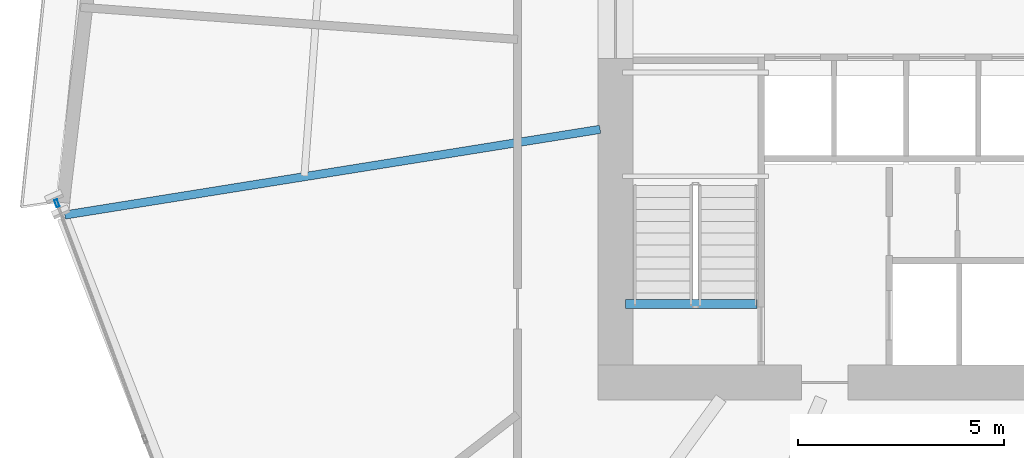
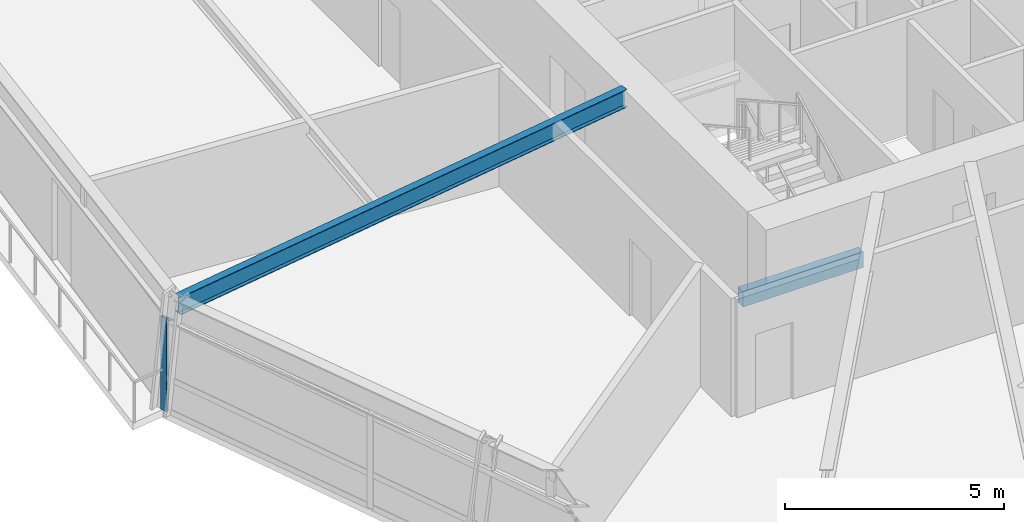
# One storey, part 6 of 21: 2 beams, 1 member, 1 element without a shape of its own.
"""IFC4 building model written with IfcOpenShell, lengths in metres."""

from ifc_helpers import new_model, si_unit, direction, frame, origin, origin_2d, place, context, subcontext, project, spatial, rectangle, hollow_rectangle, i_section, extrude, source, transform, mapped, material, material_profile, profile_set, type_object, element, aggregate, save


model = new_model("IFC4")

# Units and contexts
model_context = context("Model", 3, precision=1e-05, world=origin(), true_north=direction((0.0, 1.0)))
body_context = subcontext(model_context, "Body", "Model", "MODEL_VIEW")
ifc_project = project(units=[si_unit("LENGTHUNIT", "METRE"), si_unit("AREAUNIT", "SQUARE_METRE"), si_unit("VOLUMEUNIT", "CUBIC_METRE"), si_unit("PLANEANGLEUNIT", "RADIAN"), si_unit("MASSUNIT", "GRAM", prefix="KILO")], contexts=[model_context])

# Site, building, storey
site_placement = place(None, origin())
site = spatial("IfcSite", under=ifc_project, at=site_placement, CompositionType="ELEMENT")
building_placement = place(site_placement, origin())
building = spatial("IfcBuilding", under=site, at=building_placement, Name="Olszyna Solenne Hotel", CompositionType="ELEMENT")
storey_placement = place(building_placement, frame((0.0, 0.0, 68.35009765625)))
storey = spatial("IfcBuildingStorey", under=building, at=storey_placement, Name="L17", CompositionType="ELEMENT", Elevation=68.35009765625)

# Beam
ifc_material_1 = material(Name="Steel S355J2", Category="steel")
ifc_material_profile_1 = material_profile(ifc_material_1, i_section(OverallWidth=0.199951171875, OverallDepth=0.5, WebThickness=0.01025390625, FlangeThickness=0.01611328125, at=origin_2d()), Name="IPE 500", Category="load-bearing")
ifc_profile_set_1 = profile_set([ifc_material_profile_1], Name="Steel S355J2")
beam_type_1 = type_object("IfcBeamType", Name="BM-F3", PredefinedType="BEAM", material=ifc_profile_set_1)
shared_shape_1 = source(origin(), body_context, "Body", "SweptSolid", [
    extrude(i_section(OverallWidth=0.199951171875, OverallDepth=0.5, WebThickness=0.01025390625, FlangeThickness=0.01611328125, at=origin_2d()), origin(), (0.0, 0.0, 1.0), 13.136474609375),
])
beam_1_placement = place(storey_placement, frame((16.327880859375, 23.130615234375, 3.0498046875), z_axis=(0.987428915851, 0.158063709121, 0.0), x_axis=(-0.158063709121, 0.987428915851, 0.0)))
element("IfcBeam", 1, at=beam_1_placement, inside=storey, type_object=beam_type_1, Name="Radial floor girder BM-F3 B-L17-0541", PredefinedType="BEAM", context=body_context, shape_type="MappedRepresentation", body=[
    mapped(shared_shape_1, transform((0.0, 0.0, 0.0), x_axis=(1.0, 0.0, 0.0), y_axis=(0.0, 1.0, 0.0), z_axis=(0.0, 0.0, 1.0), scale=1.0)),
])

# Curtain wall, member
ifc_material_2 = material(Name="Anodised bronze aluminium", Category="aluminium")
curtain_wall_type = type_object("IfcCurtainWallType", Name="CW-SYS-2", PredefinedType="NOTDEFINED", material=ifc_material_2)
curtain_wall_placement = place(storey_placement, origin())
curtain_wall = element("IfcCurtainWall", 2, at=curtain_wall_placement, inside=storey, type_object=curtain_wall_type, Name="Unitised curtain wall CW-SYS-2 CW-L17-01", PredefinedType="NOTDEFINED")
ifc_material_profile_2 = material_profile(ifc_material_2, hollow_rectangle(XDim=0.074951171875, YDim=0.179931640625, WallThickness=0.00439453125, at=origin_2d()), Name="MULL 180x75x4.5", Category="load-bearing")
ifc_profile_set_2 = profile_set([ifc_material_profile_2], Name="Anodised bronze aluminium")
member_type = type_object("IfcMemberType", Name="CW-M2", PredefinedType="MULLION", material=ifc_profile_set_2)
shared_shape_2 = source(origin(), body_context, "Body", "SweptSolid", [
    extrude(hollow_rectangle(XDim=0.074951171875, YDim=0.179931640625, WallThickness=0.00439453125, at=origin_2d()), origin(), (0.0, 0.0, 1.0), 2.591796875),
])
member_placement = place(storey_placement, frame((16.13623046875, 23.4150390625, 0.0), z_axis=(0.0, 0.0, 1.0), x_axis=(0.936756287114, 0.349982368916, 0.0)))
member = element("IfcMember", 3, at=member_placement, type_object=member_type, Name="Curtain-wall mullion CW-M2 CM-L17-01-01", PredefinedType="MULLION", context=body_context, shape_type="MappedRepresentation", body=[
    mapped(shared_shape_2, transform((0.0, 0.0, 0.0), x_axis=(1.0, 0.0, 0.0), y_axis=(0.0, 1.0, 0.0), z_axis=(0.0, 0.0, 1.0), scale=1.0)),
])
aggregate(curtain_wall, [member])

# Beam
ifc_material_3 = material(Name="Concrete C50/60", Category="concrete")
ifc_material_profile_3 = material_profile(ifc_material_3, rectangle(XDim=0.219970703125, YDim=0.43994140625, at=origin_2d()), Name="RC 220x440", Category="load-bearing")
ifc_profile_set_3 = profile_set([ifc_material_profile_3], Name="Concrete C50/60")
beam_type_2 = type_object("IfcBeamType", Name="BM-ST1", PredefinedType="BEAM", material=ifc_profile_set_3)
shared_shape_3 = source(origin(), body_context, "Body", "SweptSolid", [
    extrude(rectangle(XDim=0.219970703125, YDim=0.43994140625, at=origin_2d()), origin(), (0.0, 0.0, 1.0), 3.18017578125),
])
beam_2_placement = place(storey_placement, frame((33.10009765625, 20.97998046875, -0.205078125), z_axis=(-1.0, 0.0, 0.0), x_axis=(0.0, -1.0, 0.0)))
element("IfcBeam", 4, at=beam_2_placement, inside=storey, type_object=beam_type_2, Name="Concrete stair trimmer beam BM-ST1 SHB-ST1-0179", PredefinedType="BEAM", context=body_context, shape_type="MappedRepresentation", body=[
    mapped(shared_shape_3, transform((0.0, 0.0, 0.0), x_axis=(1.0, 0.0, 0.0), y_axis=(0.0, 1.0, 0.0), z_axis=(0.0, 0.0, 1.0), scale=1.0)),
])

save(model, "model.ifc")
